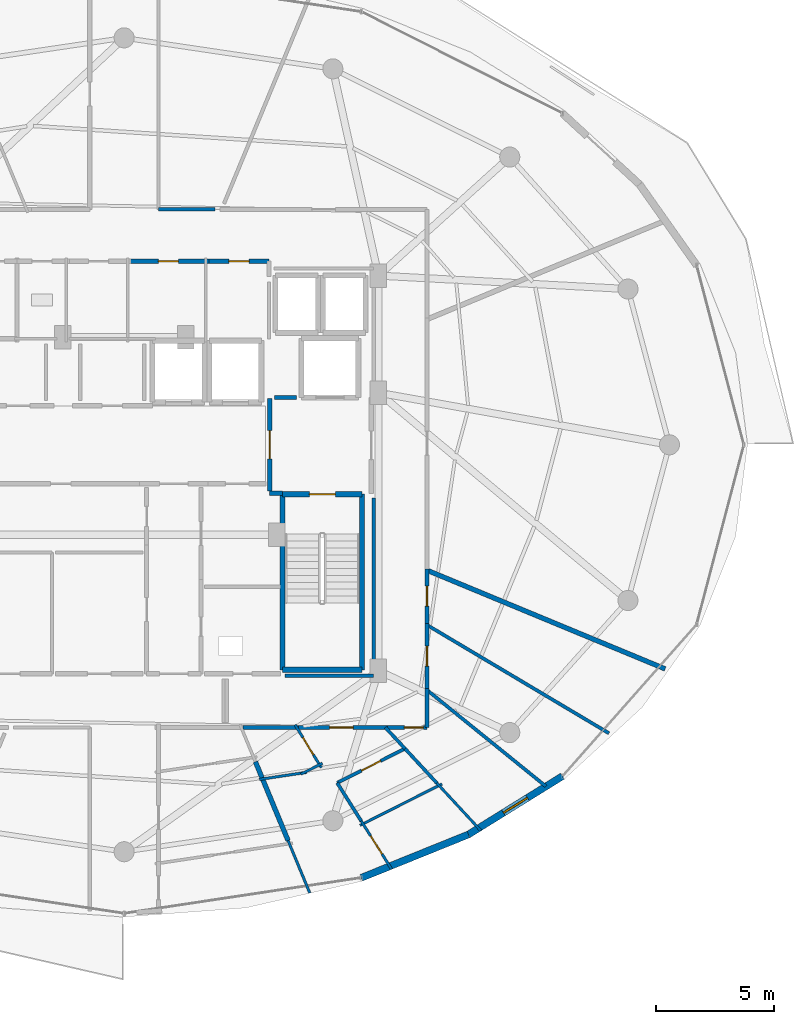
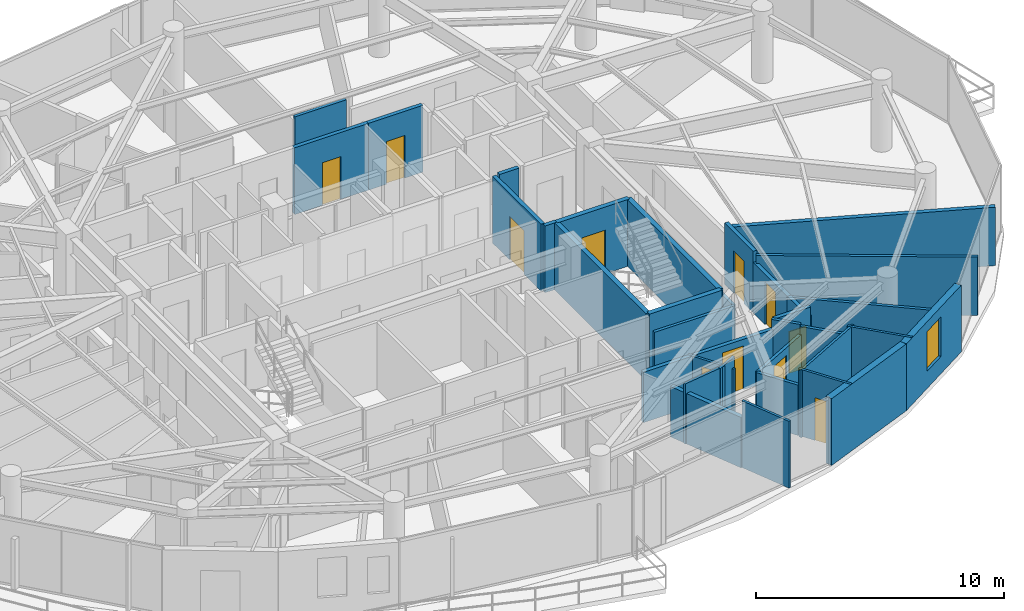
# One storey, part 26 of 31: 35 walls, 11 doors, 1 window, 12 openings.
"""IFC4 building model written with IfcOpenShell, lengths in metres."""

from ifc_helpers import new_model, si_unit, direction, frame, frame_2d, origin, place, context, subcontext, project, spatial, rectangle, extrude, material, layer, layer_set, type_object, element, fill, save


model = new_model("IFC4")

# Units and contexts
model_context = context("Model", 3, precision=1e-05, world=origin(), true_north=direction((0.0, 1.0)))
body_context = subcontext(model_context, "Body", "Model", "MODEL_VIEW")
ifc_project = project(units=[si_unit("LENGTHUNIT", "METRE"), si_unit("AREAUNIT", "SQUARE_METRE"), si_unit("VOLUMEUNIT", "CUBIC_METRE"), si_unit("PLANEANGLEUNIT", "RADIAN"), si_unit("MASSUNIT", "GRAM", prefix="KILO")], contexts=[model_context])

# Site, building, storey
site_placement = place(None, origin())
site = spatial("IfcSite", under=ifc_project, at=site_placement, CompositionType="ELEMENT")
building_placement = place(site_placement, origin())
building = spatial("IfcBuilding", under=site, at=building_placement, Name="Vorneva Point Tower", CompositionType="ELEMENT")
storey_placement = place(building_placement, frame((0.0, 0.0, 244.89990234375)))
storey = spatial("IfcBuildingStorey", under=building, at=storey_placement, Name="L66", CompositionType="ELEMENT", Elevation=244.89990234375)

# Wall
ifc_material_1 = material(Name="Precast concrete B50 (C40/50)", Category="concrete")
ifc_layer_1 = layer(ifc_material_1, 0.300048828125)
ifc_layer_set_1 = layer_set([ifc_layer_1], Name="Precast concrete B50 (C40/50)")
wall_type_1 = type_object("IfcWallType", Name="WL-EXT-300", PredefinedType="STANDARD", material=ifc_layer_set_1)
wall_1_placement = place(storey_placement, frame((48.0263671875, 7.697998046875, 0.0), z_axis=(0.0, 0.0, 1.0), x_axis=(0.927147375511, 0.374696869594, 0.0)))
element("IfcWall", 1, at=wall_1_placement, inside=storey, type_object=wall_type_1, Name="L66 Pale-Metal Facade Spandrel Wall 14.1", PredefinedType="STANDARD", context=body_context, shape_type="SweptSolid", body=[
    extrude(rectangle(XDim=4.885498046875, YDim=0.300048828125, at=frame_2d((2.44287109375, 0.0))), origin(), (0.0, 0.0, 1.0), 3.2900390625),
])

# Wall, opening, window
wall_2_placement = place(storey_placement, frame((52.555908203125, 9.528564453125, 0.0), z_axis=(0.0, 0.0, 1.0), x_axis=(0.849702323036, 0.527262707032, 0.0)))
wall_2 = element("IfcWall", 2, at=wall_2_placement, inside=storey, type_object=wall_type_1, Name="L66 Pale-Metal Facade Spandrel Wall 14.2", PredefinedType="STANDARD", context=body_context, shape_type="SweptSolid", body=[
    extrude(rectangle(XDim=4.67236328125, YDim=0.300048828125, at=frame_2d((2.336181640625, 0.0))), origin(), (0.0, 0.0, 1.0), 3.2900390625),
])
opening_1_placement = place(wall_2_placement, frame((1.736328125, 0.0, 0.85009765625)))
opening_1 = element("IfcOpeningElement", 3, at=opening_1_placement, cuts=wall_2, Name="Opening W-04", PredefinedType="OPENING", context=body_context, shape_type="SweptSolid", body=[
    extrude(rectangle(XDim=1.199951171875, YDim=1.949951171875, at=frame_2d((0.60009765625, 0.97509765625))), frame((0.0, 0.1650390625, 0.0), z_axis=(0.0, -1.0, 0.0), x_axis=(1.0, 0.0, 0.0)), (0.0, 0.0, 1.0), 0.329833984375),
])
ifc_material_2 = material(Name="Double low-e laminated glass IGU", Category="glass")
window_type = type_object("IfcWindowType", Name="WN-RES-1200", PartitioningType="SINGLE_PANEL", PredefinedType="WINDOW", material=ifc_material_2)
window_placement = place(opening_1_placement, origin())
window = element("IfcWindow", 4, at=window_placement, inside=storey, type_object=window_type, Name="L66 Dwelling Vision Window 04", OverallHeight=1.949951171875, OverallWidth=1.199951171875, PartitioningType="SINGLE_PANEL", PredefinedType="WINDOW", context=body_context, shape_type="SweptSolid", body=[
    extrude(rectangle(XDim=1.199951171875, YDim=1.949951171875, at=frame_2d((0.60009765625, 0.97509765625))), frame((0.0, 0.030029296875, 0.0), z_axis=(0.0, -1.0, 0.0), x_axis=(1.0, 0.0, 0.0)), (0.0, 0.0, 1.0), 0.06005859375),
])
fill(opening_1, window)

# Wall
ifc_material_3 = material(Name="Fire-rated acoustic gypsum stud partition", Category="gypsum")
ifc_layer_2 = layer(ifc_material_3, 0.110107421875)
ifc_layer_set_2 = layer_set([ifc_layer_2], Name="Fire-rated acoustic gypsum stud partition")
wall_type_2 = type_object("IfcWallType", Name="WL-PART-110", PredefinedType="PARTITIONING", material=ifc_layer_set_2)
wall_3_placement = place(storey_placement, frame((44.929443359375, 9.271240234375, 0.0), z_axis=(0.0, 0.0, 1.0), x_axis=(0.382798716902, -0.923831771665, 0.0)))
element("IfcWall", 5, at=wall_3_placement, inside=storey, type_object=wall_type_2, Name="L66 Interior Partition 111", PredefinedType="PARTITIONING", context=body_context, shape_type="SweptSolid", body=[
    extrude(rectangle(XDim=2.396240234375, YDim=0.110107421875, at=frame_2d((1.1982421875, 0.0))), origin(), (0.0, 0.0, 1.0), 3.2900390625),
])

# Wall, opening, door
wall_4_placement = place(storey_placement, frame((45.22412109375, 14.16943359375, 0.0), z_axis=(0.0, 0.0, 1.0), x_axis=(0.52123627541, -0.853412412141, 0.0)))
wall_4 = element("IfcWall", 6, at=wall_4_placement, inside=storey, type_object=wall_type_2, Name="L66 Interior Partition 114", PredefinedType="PARTITIONING", context=body_context, shape_type="SweptSolid", body=[
    extrude(rectangle(XDim=2.12548828125, YDim=0.110107421875, at=frame_2d((1.062744140625, 0.0))), origin(), (0.0, 0.0, 1.0), 2.482177734375),
])
opening_2_placement = place(wall_4_placement, frame((0.6376953125, 0.0, 0.0)))
opening_2 = element("IfcOpeningElement", 7, at=opening_2_placement, cuts=wall_4, Name="Opening ID-02", PredefinedType="OPENING", context=body_context, shape_type="SweptSolid", body=[
    extrude(rectangle(XDim=0.85009765625, YDim=2.10009765625, at=frame_2d((0.425048828125, 1.050048828125))), frame((0.0, 0.06982421875, 0.0), z_axis=(0.0, -1.0, 0.0), x_axis=(1.0, 0.0, 0.0)), (0.0, 0.0, 1.0), 0.139892578125),
])
ifc_material_4 = material(Name="Engineered oak fire-rated door leaf", Category="wood")
door_type_1 = type_object("IfcDoorType", Name="DR-BATH-850", OperationType="NOTDEFINED", PredefinedType="DOOR", material=ifc_material_4)
door_1_placement = place(opening_2_placement, origin())
door_1 = element("IfcDoor", 8, at=door_1_placement, inside=storey, type_object=door_type_1, Name="L66 Door Living and Dining Room L66-05 / Bathroom L66-05", OperationType="SINGLE_SWING_LEFT", OverallHeight=2.10009765625, OverallWidth=0.85009765625, PredefinedType="DOOR", context=body_context, shape_type="SweptSolid", body=[
    extrude(rectangle(XDim=0.85009765625, YDim=2.10009765625, at=frame_2d((0.425048828125, 1.050048828125))), frame((0.0, 0.02490234375, 0.0), z_axis=(0.0, -1.0, 0.0), x_axis=(1.0, 0.0, 0.0)), (0.0, 0.0, 1.0), 0.050048828125),
])
fill(opening_2, door_1)

# Walls
wall_5_placement = place(storey_placement, frame((46.384033203125, 12.5380859375, 0.0), z_axis=(0.0, 0.0, 1.0), x_axis=(-0.892613755874, -0.450822229737, 0.0)))
element("IfcWall", 9, at=wall_5_placement, inside=storey, type_object=wall_type_2, Name="L66 Interior Partition 115", PredefinedType="PARTITIONING", context=body_context, shape_type="SweptSolid", body=[
    extrude(rectangle(XDim=1.02734375, YDim=0.110107421875, at=frame_2d((0.513671875, 0.0))), origin(), (0.0, 0.0, 1.0), 2.97216796875),
])
wall_6_placement = place(storey_placement, frame((45.73046875, 12.15869140625, 0.0), z_axis=(0.0, 0.0, 1.0), x_axis=(-0.98887923552, -0.148720736812, 0.0)))
element("IfcWall", 10, at=wall_6_placement, inside=storey, type_object=wall_type_2, Name="L66 Interior Partition 116", PredefinedType="PARTITIONING", context=body_context, shape_type="SweptSolid", body=[
    extrude(rectangle(XDim=2.04052734375, YDim=0.110107421875, at=frame_2d((1.020263671875, 0.0))), origin(), (0.0, 0.0, 1.0), 2.97216796875),
])

# Wall, opening, door
wall_7_placement = place(storey_placement, frame((49.302734375, 8.066650390625, 0.0), z_axis=(0.0, 0.0, 1.0), x_axis=(-0.53356042882, 0.845761945702, 0.0)))
wall_7 = element("IfcWall", 11, at=wall_7_placement, inside=storey, type_object=wall_type_2, Name="L66 Interior Partition 117", PredefinedType="PARTITIONING", context=body_context, shape_type="SweptSolid", body=[
    extrude(rectangle(XDim=2.39990234375, YDim=0.110107421875, at=frame_2d((1.199951171875, 0.0))), origin(), (0.0, 0.0, 1.0), 3.2900390625),
])
opening_3_placement = place(wall_7_placement, frame((0.75, 0.0, 0.0)))
opening_3 = element("IfcOpeningElement", 12, at=opening_3_placement, cuts=wall_7, Name="Opening ID-01", PredefinedType="OPENING", context=body_context, shape_type="SweptSolid", body=[
    extrude(rectangle(XDim=0.89990234375, YDim=2.10009765625, at=frame_2d((0.449951171875, 1.050048828125))), frame((0.0, 0.06982421875, 0.0), z_axis=(0.0, -1.0, 0.0), x_axis=(1.0, 0.0, 0.0)), (0.0, 0.0, 1.0), 0.139892578125),
])
door_type_2 = type_object("IfcDoorType", Name="DR-ROOM-900", OperationType="NOTDEFINED", PredefinedType="DOOR", material=ifc_material_4)
door_2_placement = place(opening_3_placement, origin())
door_2 = element("IfcDoor", 13, at=door_2_placement, inside=storey, type_object=door_type_2, Name="L66 Door Living and Dining Room L66-05 / Kitchen L66-05", OperationType="SINGLE_SWING_RIGHT", OverallHeight=2.10009765625, OverallWidth=0.89990234375, PredefinedType="DOOR", context=body_context, shape_type="SweptSolid", body=[
    extrude(rectangle(XDim=0.89990234375, YDim=2.10009765625, at=frame_2d((0.449951171875, 1.050048828125))), frame((0.0, 0.02490234375, 0.0), z_axis=(0.0, -1.0, 0.0), x_axis=(1.0, 0.0, 0.0)), (0.0, 0.0, 1.0), 0.050048828125),
])
fill(opening_3, door_2)

# Walls
wall_8_placement = place(storey_placement, frame((51.43408203125, 11.6640625, 0.0), z_axis=(0.0, 0.0, 1.0), x_axis=(-0.892543730476, -0.450960851059, 0.0)))
element("IfcWall", 14, at=wall_8_placement, inside=storey, type_object=wall_type_2, Name="L66 Interior Partition 121", PredefinedType="PARTITIONING", context=body_context, shape_type="SweptSolid", body=[
    extrude(rectangle(XDim=3.87890625, YDim=0.110107421875, at=frame_2d((1.939453125, 0.0))), origin(), (0.0, 0.0, 1.0), 3.2900390625),
])
wall_9_placement = place(storey_placement, frame((53.076171875, 9.690185546875, 0.0), z_axis=(0.0, 0.0, 1.0), x_axis=(-0.678974823397, 0.734161555241, 0.0)))
element("IfcWall", 15, at=wall_9_placement, inside=storey, type_object=wall_type_2, Name="L66 Interior Partition 122", PredefinedType="PARTITIONING", context=body_context, shape_type="SweptSolid", body=[
    extrude(rectangle(XDim=2.742919921875, YDim=0.110107421875, at=frame_2d((1.37158203125, 0.0))), origin(), (0.0, 0.0, 1.0), 3.2900390625),
])

# Wall, opening, door
ifc_layer_3 = layer(ifc_material_3, 0.139892578125)
ifc_layer_set_3 = layer_set([ifc_layer_3], Name="Fire-rated acoustic gypsum stud partition")
wall_type_3 = type_object("IfcWallType", Name="WL-PART-140", PredefinedType="PARTITIONING", material=ifc_layer_set_3)
wall_10_placement = place(storey_placement, frame((47.006103515625, 11.7099609375, 0.0), z_axis=(0.0, 0.0, 1.0), x_axis=(0.892487089344, 0.451072937955, 0.0)))
wall_10 = element("IfcWall", 16, at=wall_10_placement, inside=storey, type_object=wall_type_3, Name="L66 Interior Partition 118", PredefinedType="PARTITIONING", context=body_context, shape_type="SweptSolid", body=[
    extrude(rectangle(XDim=3.210205078125, YDim=0.139892578125, at=frame_2d((1.60498046875, 0.0))), origin(), (0.0, 0.0, 1.0), 2.482177734375),
])
opening_4_placement = place(wall_10_placement, frame((1.155029296875, 0.0, 0.0)))
opening_4 = element("IfcOpeningElement", 17, at=opening_4_placement, cuts=wall_10, Name="Opening ID-01", PredefinedType="OPENING", context=body_context, shape_type="SweptSolid", body=[
    extrude(rectangle(XDim=0.89990234375, YDim=2.10009765625, at=frame_2d((0.449951171875, 1.050048828125))), frame((0.0, 0.0849609375, 0.0), z_axis=(0.0, -1.0, 0.0), x_axis=(1.0, 0.0, 0.0)), (0.0, 0.0, 1.0), 0.169677734375),
])
door_3_placement = place(opening_4_placement, origin())
door_3 = element("IfcDoor", 18, at=door_3_placement, inside=storey, type_object=door_type_2, Name="L66 Door Living and Dining Room L66-05 / Study Room L66-05", OperationType="SINGLE_SWING_LEFT", OverallHeight=2.10009765625, OverallWidth=0.89990234375, PredefinedType="DOOR", context=body_context, shape_type="SweptSolid", body=[
    extrude(rectangle(XDim=0.89990234375, YDim=2.10009765625, at=frame_2d((0.449951171875, 1.050048828125))), frame((0.0, 0.02490234375, 0.0), z_axis=(0.0, -1.0, 0.0), x_axis=(1.0, 0.0, 0.0)), (0.0, 0.0, 1.0), 0.050048828125),
])
fill(opening_4, door_3)

# Walls
wall_11_placement = place(storey_placement, frame((48.0224609375, 10.096435546875, 0.0), z_axis=(0.0, 0.0, 1.0), x_axis=(-0.532976248943, 0.846130201602, 0.0)))
element("IfcWall", 19, at=wall_11_placement, inside=storey, type_object=wall_type_3, Name="L66 Interior Partition 119", PredefinedType="PARTITIONING", context=body_context, shape_type="SweptSolid", body=[
    extrude(rectangle(XDim=1.906982421875, YDim=0.139892578125, at=frame_2d((0.95361328125, 0.0))), origin(), (0.0, 0.0, 1.0), 2.482177734375),
])
wall_12_placement = place(storey_placement, frame((49.87109375, 13.157958984375, 0.0), z_axis=(0.0, 0.0, 1.0), x_axis=(-0.679047394912, 0.734094432251, 0.0)))
element("IfcWall", 20, at=wall_12_placement, inside=storey, type_object=wall_type_3, Name="L66 Interior Partition 120", PredefinedType="PARTITIONING", context=body_context, shape_type="SweptSolid", body=[
    extrude(rectangle(XDim=1.21533203125, YDim=0.139892578125, at=frame_2d((0.607666015625, 0.0))), origin(), (0.0, 0.0, 1.0), 2.97216796875),
])
wall_13_placement = place(storey_placement, frame((51.214599609375, 11.704345703125, 0.0), z_axis=(0.0, 0.0, 1.0), x_axis=(-0.678746140468, 0.734372982073, 0.0)))
element("IfcWall", 21, at=wall_13_placement, inside=storey, type_object=wall_type_3, Name="L66 Interior Partition 123", PredefinedType="PARTITIONING", context=body_context, shape_type="SweptSolid", body=[
    extrude(rectangle(XDim=1.9794921875, YDim=0.139892578125, at=frame_2d((0.98974609375, 0.0))), origin(), (0.0, 0.0, 1.0), 2.8740234375),
])
wall_14_placement = place(storey_placement, frame((55.827880859375, 11.56298828125, 0.0), z_axis=(0.0, 0.0, 1.0), x_axis=(-0.777103372697, 0.62937298015, 0.0)))
element("IfcWall", 22, at=wall_14_placement, inside=storey, type_object=wall_type_3, Name="L66 Interior Partition 124", PredefinedType="PARTITIONING", context=body_context, shape_type="SweptSolid", body=[
    extrude(rectangle(XDim=6.469970703125, YDim=0.139892578125, at=frame_2d((3.23486328125, 0.0))), origin(), (0.0, 0.0, 1.0), 2.482177734375),
])
wall_15_placement = place(storey_placement, frame((58.492919921875, 13.80810546875, 0.0), z_axis=(0.0, 0.0, 1.0), x_axis=(-0.859400180079, 0.511303560011, 0.0)))
element("IfcWall", 23, at=wall_15_placement, inside=storey, type_object=wall_type_3, Name="L66 Interior Partition 125", PredefinedType="PARTITIONING", context=body_context, shape_type="SweptSolid", body=[
    extrude(rectangle(XDim=8.951416015625, YDim=0.139892578125, at=frame_2d((4.4755859375, 0.0))), origin(), (0.0, 0.0, 1.0), 2.8740234375),
])
wall_16_placement = place(storey_placement, frame((41.841064453125, 35.949951171875, 0.0), z_axis=(0.0, 0.0, 1.0), x_axis=(-1.0, 0.0, 0.0)))
element("IfcWall", 24, at=wall_16_placement, inside=storey, type_object=wall_type_3, Name="L66 Interior Closure Partition 139", PredefinedType="PARTITIONING", context=body_context, shape_type="SweptSolid", body=[
    extrude(rectangle(XDim=2.39111328125, YDim=0.139892578125, at=frame_2d((1.195556640625, 0.0))), origin(), (0.0, 0.0, 1.0), 3.022216796875),
])
wall_17_placement = place(storey_placement, frame((44.804931640625, 16.239990234375, 0.0), z_axis=(0.0, 0.0, 1.0), x_axis=(1.0, 0.0, 0.0)))
element("IfcWall", 25, at=wall_17_placement, inside=storey, type_object=wall_type_3, Name="L66 Interior Closure Partition 141", PredefinedType="PARTITIONING", context=body_context, shape_type="SweptSolid", body=[
    extrude(rectangle(XDim=3.7451171875, YDim=0.139892578125, at=frame_2d((1.87255859375, 0.0))), origin(), (0.0, 0.0, 1.0), 2.482177734375),
])
wall_18_placement = place(storey_placement, frame((48.550048828125, 16.239990234375, 0.0), z_axis=(0.0, 0.0, 1.0), x_axis=(0.0, 1.0, 0.0)))
element("IfcWall", 26, at=wall_18_placement, inside=storey, type_object=wall_type_3, Name="L66 Interior Closure Partition 142", PredefinedType="PARTITIONING", context=body_context, shape_type="SweptSolid", body=[
    extrude(rectangle(XDim=7.513916015625, YDim=0.139892578125, at=frame_2d((3.7568359375, 0.0))), origin(), (0.0, 0.0, 1.0), 2.482177734375),
])

# Wall, opening, door
ifc_material_5 = material(Name="Autoclaved aerated concrete blockwork", Category="masonry")
ifc_layer_4 = layer(ifc_material_5, 0.179931640625)
ifc_layer_set_4 = layer_set([ifc_layer_4], Name="Autoclaved aerated concrete blockwork")
wall_type_4 = type_object("IfcWallType", Name="WL-PART-180", PredefinedType="PARTITIONING", material=ifc_layer_set_4)
wall_19_placement = place(storey_placement, frame((44.14990234375, 27.955078125, 0.0), z_axis=(0.0, 0.0, 1.0), x_axis=(0.0, -1.0, 0.0)))
wall_19 = element("IfcWall", 27, at=wall_19_placement, inside=storey, type_object=wall_type_4, Name="L66 Interior Partition 003", PredefinedType="PARTITIONING", context=body_context, shape_type="SweptSolid", body=[
    extrude(rectangle(XDim=3.91015625, YDim=0.179931640625, at=frame_2d((1.955078125, 0.0))), origin(), (0.0, 0.0, 1.0), 3.2900390625),
])
opening_5_placement = place(wall_19_placement, frame((1.35498046875, 0.0, 0.0)))
opening_5 = element("IfcOpeningElement", 28, at=opening_5_placement, cuts=wall_19, Name="Opening FD-02", PredefinedType="OPENING", context=body_context, shape_type="SweptSolid", body=[
    extrude(rectangle(XDim=1.199951171875, YDim=2.14990234375, at=frame_2d((0.60009765625, 1.074951171875))), frame((0.0, 0.10498046875, 0.0), z_axis=(0.0, -1.0, 0.0), x_axis=(1.0, 0.0, 0.0)), (0.0, 0.0, 1.0), 0.209716796875),
])
ifc_material_6 = material(Name="Fire-rated powder-coated steel", Category="steel")
door_type_3 = type_object("IfcDoorType", Name="DR-FFL-1200", OperationType="NOTDEFINED", PredefinedType="DOOR", material=ifc_material_6)
door_4_placement = place(opening_5_placement, origin())
door_4 = element("IfcDoor", 29, at=door_4_placement, inside=storey, type_object=door_type_3, Name="L66 Door East Firefighting Lobby / Central Lift Lobby", OperationType="SINGLE_SWING_LEFT", OverallHeight=2.14990234375, OverallWidth=1.199951171875, PredefinedType="DOOR", context=body_context, shape_type="SweptSolid", body=[
    extrude(rectangle(XDim=1.199951171875, YDim=2.14990234375, at=frame_2d((0.60009765625, 1.074951171875))), frame((0.0, 0.02490234375, 0.0), z_axis=(0.0, -1.0, 0.0), x_axis=(1.0, 0.0, 0.0)), (0.0, 0.0, 1.0), 0.050048828125),
])
fill(opening_5, door_4)

# Wall
wall_20_placement = place(storey_placement, frame((44.14990234375, 23.949951171875, 0.0), z_axis=(0.0, 0.0, 1.0), x_axis=(1.0, 0.0, 0.0)))
element("IfcWall", 30, at=wall_20_placement, inside=storey, type_object=wall_type_4, Name="L66 Interior Partition 004", PredefinedType="PARTITIONING", context=body_context, shape_type="SweptSolid", body=[
    extrude(rectangle(XDim=0.5400390625, YDim=0.179931640625, at=frame_2d((0.27001953125, 0.0))), origin(), (0.0, 0.0, 1.0), 3.2900390625),
])

# Wall, opening, door
wall_21_placement = place(storey_placement, frame((41.590087890625, 33.760009765625, 0.0), z_axis=(0.0, 0.0, 1.0), x_axis=(-1.0, 0.0, 0.0)))
wall_21 = element("IfcWall", 31, at=wall_21_placement, inside=storey, type_object=wall_type_4, Name="L66 Interior Partition 030", PredefinedType="PARTITIONING", context=body_context, shape_type="SweptSolid", body=[
    extrude(rectangle(XDim=3.440185546875, YDim=0.179931640625, at=frame_2d((1.72021484375, 0.0))), origin(), (0.0, 0.0, 1.0), 3.2900390625),
])
opening_6_placement = place(wall_21_placement, frame((1.294921875, 0.0, 0.0)))
opening_6 = element("IfcOpeningElement", 32, at=opening_6_placement, cuts=wall_21, Name="Opening ID-02", PredefinedType="OPENING", context=body_context, shape_type="SweptSolid", body=[
    extrude(rectangle(XDim=0.85009765625, YDim=2.10009765625, at=frame_2d((0.425048828125, 1.050048828125))), frame((0.0, 0.10498046875, 0.0), z_axis=(0.0, -1.0, 0.0), x_axis=(1.0, 0.0, 0.0)), (0.0, 0.0, 1.0), 0.209716796875),
])
door_5_placement = place(opening_6_placement, origin())
door_5 = element("IfcDoor", 33, at=door_5_placement, inside=storey, type_object=door_type_1, Name="L66 Door Public Female WC / L66 Circulation Corridor", OperationType="SINGLE_SWING_LEFT", OverallHeight=2.10009765625, OverallWidth=0.85009765625, PredefinedType="DOOR", context=body_context, shape_type="SweptSolid", body=[
    extrude(rectangle(XDim=0.85009765625, YDim=2.10009765625, at=frame_2d((0.425048828125, 1.050048828125))), frame((0.0, 0.02490234375, 0.0), z_axis=(0.0, -1.0, 0.0), x_axis=(1.0, 0.0, 0.0)), (0.0, 0.0, 1.0), 0.050048828125),
])
fill(opening_6, door_5)

wall_22_placement = place(storey_placement, frame((44.1201171875, 33.760009765625, 0.0), z_axis=(0.0, 0.0, 1.0), x_axis=(-1.0, 0.0, 0.0)))
wall_22 = element("IfcWall", 34, at=wall_22_placement, inside=storey, type_object=wall_type_4, Name="L66 Interior Partition 031", PredefinedType="PARTITIONING", context=body_context, shape_type="SweptSolid", body=[
    extrude(rectangle(XDim=2.530029296875, YDim=0.179931640625, at=frame_2d((1.26513671875, 0.0))), origin(), (0.0, 0.0, 1.0), 3.2900390625),
])
opening_7_placement = place(wall_22_placement, frame((0.840087890625, 0.0, 0.0)))
opening_7 = element("IfcOpeningElement", 35, at=opening_7_placement, cuts=wall_22, Name="Opening ID-02", PredefinedType="OPENING", context=body_context, shape_type="SweptSolid", body=[
    extrude(rectangle(XDim=0.85009765625, YDim=2.10009765625, at=frame_2d((0.425048828125, 1.050048828125))), frame((0.0, 0.10498046875, 0.0), z_axis=(0.0, -1.0, 0.0), x_axis=(1.0, 0.0, 0.0)), (0.0, 0.0, 1.0), 0.209716796875),
])
door_6_placement = place(opening_7_placement, origin())
door_6 = element("IfcDoor", 36, at=door_6_placement, inside=storey, type_object=door_type_1, Name="L66 Door Cleaners Store / L66 Circulation Corridor", OperationType="SINGLE_SWING_RIGHT", OverallHeight=2.10009765625, OverallWidth=0.85009765625, PredefinedType="DOOR", context=body_context, shape_type="SweptSolid", body=[
    extrude(rectangle(XDim=0.85009765625, YDim=2.10009765625, at=frame_2d((0.425048828125, 1.050048828125))), frame((0.0, 0.02490234375, 0.0), z_axis=(0.0, -1.0, 0.0), x_axis=(1.0, 0.0, 0.0)), (0.0, 0.0, 1.0), 0.050048828125),
])
fill(opening_7, door_6)

wall_23_placement = place(storey_placement, frame((45.237060546875, 14.050048828125, 0.0), z_axis=(0.0, 0.0, 1.0), x_axis=(1.0, 0.0, 0.0)))
wall_23 = element("IfcWall", 37, at=wall_23_placement, inside=storey, type_object=wall_type_4, Name="L66 Interior Partition 059", PredefinedType="PARTITIONING", context=body_context, shape_type="SweptSolid", body=[
    extrude(rectangle(XDim=3.890869140625, YDim=0.179931640625, at=frame_2d((1.9453125, 0.0))), origin(), (0.0, 0.0, 1.0), 2.482177734375),
])
opening_8_placement = place(wall_23_placement, frame((1.445556640625, 0.0, 0.0)))
opening_8 = element("IfcOpeningElement", 38, at=opening_8_placement, cuts=wall_23, Name="Opening UD-01", PredefinedType="OPENING", context=body_context, shape_type="SweptSolid", body=[
    extrude(rectangle(XDim=1.0, YDim=2.14990234375, at=frame_2d((0.5, 1.074951171875))), frame((0.0, 0.10498046875, 0.0), z_axis=(0.0, -1.0, 0.0), x_axis=(1.0, 0.0, 0.0)), (0.0, 0.0, 1.0), 0.209716796875),
])
door_type_4 = type_object("IfcDoorType", Name="DR-UNIT-1000", OperationType="NOTDEFINED", PredefinedType="DOOR", material=ifc_material_4)
door_7_placement = place(opening_8_placement, origin())
door_7 = element("IfcDoor", 39, at=door_7_placement, inside=storey, type_object=door_type_4, Name="L66 Door L66 Circulation Corridor / Living and Dining Room L66-05", OperationType="SINGLE_SWING_RIGHT", OverallHeight=2.14990234375, OverallWidth=1.0, PredefinedType="DOOR", context=body_context, shape_type="SweptSolid", body=[
    extrude(rectangle(XDim=1.0, YDim=2.14990234375, at=frame_2d((0.5, 1.074951171875))), frame((0.0, 0.02490234375, 0.0), z_axis=(0.0, -1.0, 0.0), x_axis=(1.0, 0.0, 0.0)), (0.0, 0.0, 1.0), 0.050048828125),
])
fill(opening_8, door_7)

# Wall
wall_24_placement = place(storey_placement, frame((43.014892578125, 14.050048828125, 0.0), z_axis=(0.0, 0.0, 1.0), x_axis=(1.0, 0.0, 0.0)))
element("IfcWall", 40, at=wall_24_placement, inside=storey, type_object=wall_type_4, Name="L66 Interior Partition 060", PredefinedType="PARTITIONING", context=body_context, shape_type="SweptSolid", body=[
    extrude(rectangle(XDim=2.362060546875, YDim=0.179931640625, at=frame_2d((1.18115234375, 0.0))), origin(), (0.0, 0.0, 1.0), 2.482177734375),
])

# Wall, opening, door
wall_25_placement = place(storey_placement, frame((49.1279296875, 14.050048828125, 0.0), z_axis=(0.0, 0.0, 1.0), x_axis=(1.0, 0.0, 0.0)))
wall_25 = element("IfcWall", 41, at=wall_25_placement, inside=storey, type_object=wall_type_4, Name="L66 Interior Partition 061", PredefinedType="PARTITIONING", context=body_context, shape_type="SweptSolid", body=[
    extrude(rectangle(XDim=1.672119140625, YDim=0.179931640625, at=frame_2d((0.8359375, 0.0))), origin(), (0.0, 0.0, 1.0), 2.97216796875),
])
opening_9_placement = place(wall_25_placement, frame((0.716064453125, 0.0, 0.0)))
opening_9 = element("IfcOpeningElement", 42, at=opening_9_placement, cuts=wall_25, Name="Opening RD-01", PredefinedType="OPENING", context=body_context, shape_type="SweptSolid", body=[
    extrude(rectangle(XDim=0.800048828125, YDim=2.050048828125, at=frame_2d((0.39990234375, 1.02490234375))), frame((0.0, 0.10498046875, 0.0), z_axis=(0.0, -1.0, 0.0), x_axis=(1.0, 0.0, 0.0)), (0.0, 0.0, 1.0), 0.209716796875),
])
door_type_5 = type_object("IfcDoorType", Name="DR-RSR-800", OperationType="SINGLE_SWING_LEFT", PredefinedType="DOOR", material=ifc_material_6)
door_8_placement = place(opening_9_placement, origin())
door_8 = element("IfcDoor", 43, at=door_8_placement, inside=storey, type_object=door_type_5, Name="L66 Access Door L66 Circulation Corridor", OperationType="SINGLE_SWING_RIGHT", OverallHeight=2.050048828125, OverallWidth=0.800048828125, PredefinedType="DOOR", context=body_context, shape_type="SweptSolid", body=[
    extrude(rectangle(XDim=0.800048828125, YDim=2.050048828125, at=frame_2d((0.39990234375, 1.02490234375))), frame((0.0, 0.02490234375, 0.0), z_axis=(0.0, -1.0, 0.0), x_axis=(1.0, 0.0, 0.0)), (0.0, 0.0, 1.0), 0.050048828125),
])
fill(opening_9, door_8)

# Wall
wall_26_placement = place(storey_placement, frame((50.800048828125, 14.050048828125, 0.0), z_axis=(0.0, 0.0, 1.0), x_axis=(0.0, 1.0, 0.0)))
element("IfcWall", 44, at=wall_26_placement, inside=storey, type_object=wall_type_4, Name="L66 Interior Partition 062", PredefinedType="PARTITIONING", context=body_context, shape_type="SweptSolid", body=[
    extrude(rectangle(XDim=1.64501953125, YDim=0.179931640625, at=frame_2d((0.822509765625, 0.0))), origin(), (0.0, 0.0, 1.0), 2.482177734375),
])

# Wall, opening, door
wall_27_placement = place(storey_placement, frame((50.800048828125, 15.695068359375, 0.0), z_axis=(0.0, 0.0, 1.0), x_axis=(0.0, 1.0, 0.0)))
wall_27 = element("IfcWall", 45, at=wall_27_placement, inside=storey, type_object=wall_type_4, Name="L66 Interior Partition 063", PredefinedType="PARTITIONING", context=body_context, shape_type="SweptSolid", body=[
    extrude(rectangle(XDim=2.75, YDim=0.179931640625, at=frame_2d((1.375, 0.0))), origin(), (0.0, 0.0, 1.0), 2.482177734375),
])
opening_10_placement = place(wall_27_placement, frame((0.949951171875, 0.0, 0.0)))
opening_10 = element("IfcOpeningElement", 46, at=opening_10_placement, cuts=wall_27, Name="Opening ID-02", PredefinedType="OPENING", context=body_context, shape_type="SweptSolid", body=[
    extrude(rectangle(XDim=0.85009765625, YDim=2.10009765625, at=frame_2d((0.425048828125, 1.050048828125))), frame((0.0, 0.10498046875, 0.0), z_axis=(0.0, -1.0, 0.0), x_axis=(1.0, 0.0, 0.0)), (0.0, 0.0, 1.0), 0.209716796875),
])
door_9_placement = place(opening_10_placement, origin())
door_9 = element("IfcDoor", 47, at=door_9_placement, inside=storey, type_object=door_type_1, Name="L66 Access Door L66 Circulation Corridor", OperationType="SINGLE_SWING_LEFT", OverallHeight=2.10009765625, OverallWidth=0.85009765625, PredefinedType="DOOR", context=body_context, shape_type="SweptSolid", body=[
    extrude(rectangle(XDim=0.85009765625, YDim=2.10009765625, at=frame_2d((0.425048828125, 1.050048828125))), frame((0.0, 0.02490234375, 0.0), z_axis=(0.0, -1.0, 0.0), x_axis=(1.0, 0.0, 0.0)), (0.0, 0.0, 1.0), 0.050048828125),
])
fill(opening_10, door_9)

wall_28_placement = place(storey_placement, frame((50.800048828125, 18.445068359375, 0.0), z_axis=(0.0, 0.0, 1.0), x_axis=(0.0, 1.0, 0.0)))
wall_28 = element("IfcWall", 48, at=wall_28_placement, inside=storey, type_object=wall_type_4, Name="L66 Interior Partition 064", PredefinedType="PARTITIONING", context=body_context, shape_type="SweptSolid", body=[
    extrude(rectangle(XDim=2.31298828125, YDim=0.179931640625, at=frame_2d((1.156494140625, 0.0))), origin(), (0.0, 0.0, 1.0), 3.022216796875),
])
opening_11_placement = place(wall_28_placement, frame((0.7314453125, 0.0, 0.0)))
opening_11 = element("IfcOpeningElement", 49, at=opening_11_placement, cuts=wall_28, Name="Opening ID-02", PredefinedType="OPENING", context=body_context, shape_type="SweptSolid", body=[
    extrude(rectangle(XDim=0.85009765625, YDim=2.10009765625, at=frame_2d((0.425048828125, 1.050048828125))), frame((0.0, 0.10498046875, 0.0), z_axis=(0.0, -1.0, 0.0), x_axis=(1.0, 0.0, 0.0)), (0.0, 0.0, 1.0), 0.209716796875),
])
door_10_placement = place(opening_11_placement, origin())
door_10 = element("IfcDoor", 50, at=door_10_placement, inside=storey, type_object=door_type_1, Name="L66 Access Door L66 Circulation Corridor", OperationType="SINGLE_SWING_RIGHT", OverallHeight=2.10009765625, OverallWidth=0.85009765625, PredefinedType="DOOR", context=body_context, shape_type="SweptSolid", body=[
    extrude(rectangle(XDim=0.85009765625, YDim=2.10009765625, at=frame_2d((0.425048828125, 1.050048828125))), frame((0.0, 0.02490234375, 0.0), z_axis=(0.0, -1.0, 0.0), x_axis=(1.0, 0.0, 0.0)), (0.0, 0.0, 1.0), 0.050048828125),
])
fill(opening_11, door_10)

# Walls
wall_29_placement = place(storey_placement, frame((45.280029296875, 28.0, 0.0), z_axis=(0.0, 0.0, 1.0), x_axis=(-1.0, 0.0, 0.0)))
element("IfcWall", 51, at=wall_29_placement, inside=storey, type_object=wall_type_4, Name="L66 Interior Closure Partition 129", PredefinedType="PARTITIONING", context=body_context, shape_type="SweptSolid", body=[
    extrude(rectangle(XDim=0.9150390625, YDim=0.179931640625, at=frame_2d((0.45751953125, 0.0))), origin(), (0.0, 0.0, 1.0), 3.2900390625),
])
ifc_layer_5 = layer(ifc_material_5, 0.199951171875)
ifc_layer_set_5 = layer_set([ifc_layer_5], Name="Autoclaved aerated concrete blockwork")
wall_type_5 = type_object("IfcWallType", Name="WL-PART-200", PredefinedType="PARTITIONING", material=ifc_layer_set_5)
wall_30_placement = place(storey_placement, frame((44.9296875, 9.271484375, 0.0), z_axis=(0.0, 0.0, 1.0), x_axis=(-0.382744455498, 0.923854253541, 0.0)))
element("IfcWall", 52, at=wall_30_placement, inside=storey, type_object=wall_type_5, Name="L66 Interior Partition 113", PredefinedType="PARTITIONING", context=body_context, shape_type="SweptSolid", body=[
    extrude(rectangle(XDim=3.60595703125, YDim=0.199951171875, at=frame_2d((1.802978515625, 0.0))), origin(), (0.0, 0.0, 1.0), 2.482177734375),
])
wall_31_placement = place(storey_placement, frame((60.866943359375, 16.528076171875, 0.0), z_axis=(0.0, 0.0, 1.0), x_axis=(-0.923877013663, 0.382689513347, 0.0)))
element("IfcWall", 53, at=wall_31_placement, inside=storey, type_object=wall_type_5, Name="L66 Interior Partition 126", PredefinedType="PARTITIONING", context=body_context, shape_type="SweptSolid", body=[
    extrude(rectangle(XDim=10.896240234375, YDim=0.199951171875, at=frame_2d((5.4482421875, 0.0))), origin(), (0.0, 0.0, 1.0), 2.8740234375),
])

# Wall, opening, door
ifc_material_7 = material(Name="Concrete B50 (C40/50)", Category="concrete")
ifc_layer_6 = layer(ifc_material_7, 0.219970703125)
ifc_layer_set_6 = layer_set([ifc_layer_6], Name="Concrete B50 (C40/50)")
wall_type_6 = type_object("IfcWallType", Name="WL-SHFT-220", PredefinedType="SOLIDWALL", material=ifc_layer_set_6)
wall_32_placement = place(storey_placement, frame((44.68994140625, 23.909912109375, 0.0), z_axis=(0.0, 0.0, 1.0), x_axis=(1.0, 0.0, 0.0)))
wall_32 = element("IfcWall", 54, at=wall_32_placement, inside=storey, type_object=wall_type_6, Name="L66 Exit Stair ST2 Shaft Wall near", PredefinedType="SOLIDWALL", context=body_context, shape_type="SweptSolid", body=[
    extrude(rectangle(XDim=3.3701171875, YDim=0.219970703125, at=frame_2d((1.68505859375, 0.0))), origin(), (0.0, 0.0, 1.0), 3.2900390625),
])
opening_12_placement = place(wall_32_placement, frame((1.135009765625, 0.0, 0.0)))
opening_12 = element("IfcOpeningElement", 55, at=opening_12_placement, cuts=wall_32, Name="Opening FD-01", PredefinedType="OPENING", context=body_context, shape_type="SweptSolid", body=[
    extrude(rectangle(XDim=1.10009765625, YDim=2.14990234375, at=frame_2d((0.550048828125, 1.074951171875))), frame((0.0, 0.125, 0.0), z_axis=(0.0, -1.0, 0.0), x_axis=(1.0, 0.0, 0.0)), (0.0, 0.0, 1.0), 0.249755859375),
])
door_type_6 = type_object("IfcDoorType", Name="DR-STAIR-1100", OperationType="NOTDEFINED", PredefinedType="DOOR", material=ifc_material_6)
door_11_placement = place(opening_12_placement, origin())
door_11 = element("IfcDoor", 56, at=door_11_placement, inside=storey, type_object=door_type_6, Name="L66 Exit Stair ST2 Fire Door", OperationType="SINGLE_SWING_LEFT", OverallHeight=2.14990234375, OverallWidth=1.10009765625, PredefinedType="DOOR", context=body_context, shape_type="SweptSolid", body=[
    extrude(rectangle(XDim=1.10009765625, YDim=2.14990234375, at=frame_2d((0.550048828125, 1.074951171875))), frame((0.0, 0.02490234375, 0.0), z_axis=(0.0, -1.0, 0.0), x_axis=(1.0, 0.0, 0.0)), (0.0, 0.0, 1.0), 0.050048828125),
])
fill(opening_12, door_11)

# Walls
wall_33_placement = place(storey_placement, frame((48.06005859375, 23.909912109375, 0.0), z_axis=(0.0, 0.0, 1.0), x_axis=(0.0, -1.0, 0.0)))
element("IfcWall", 57, at=wall_33_placement, inside=storey, type_object=wall_type_6, Name="L66 Exit Stair ST2 Shaft Wall right", PredefinedType="SOLIDWALL", context=body_context, shape_type="SweptSolid", body=[
    extrude(rectangle(XDim=7.419921875, YDim=0.219970703125, at=frame_2d((3.7099609375, 0.0))), origin(), (0.0, 0.0, 1.0), 3.2900390625),
])
wall_34_placement = place(storey_placement, frame((48.06005859375, 16.489990234375, 0.0), z_axis=(0.0, 0.0, 1.0), x_axis=(-1.0, 0.0, 0.0)))
element("IfcWall", 58, at=wall_34_placement, inside=storey, type_object=wall_type_6, Name="L66 Exit Stair ST2 Shaft Wall far", PredefinedType="SOLIDWALL", context=body_context, shape_type="SweptSolid", body=[
    extrude(rectangle(XDim=3.3701171875, YDim=0.219970703125, at=frame_2d((1.68505859375, 0.0))), origin(), (0.0, 0.0, 1.0), 3.2900390625),
])
wall_35_placement = place(storey_placement, frame((44.68994140625, 16.489990234375, 0.0), z_axis=(0.0, 0.0, 1.0), x_axis=(0.0, 1.0, 0.0)))
element("IfcWall", 59, at=wall_35_placement, inside=storey, type_object=wall_type_6, Name="L66 Exit Stair ST2 Shaft Wall left", PredefinedType="SOLIDWALL", context=body_context, shape_type="SweptSolid", body=[
    extrude(rectangle(XDim=7.419921875, YDim=0.219970703125, at=frame_2d((3.7099609375, 0.0))), origin(), (0.0, 0.0, 1.0), 3.2900390625),
])

save(model, "model.ifc")
